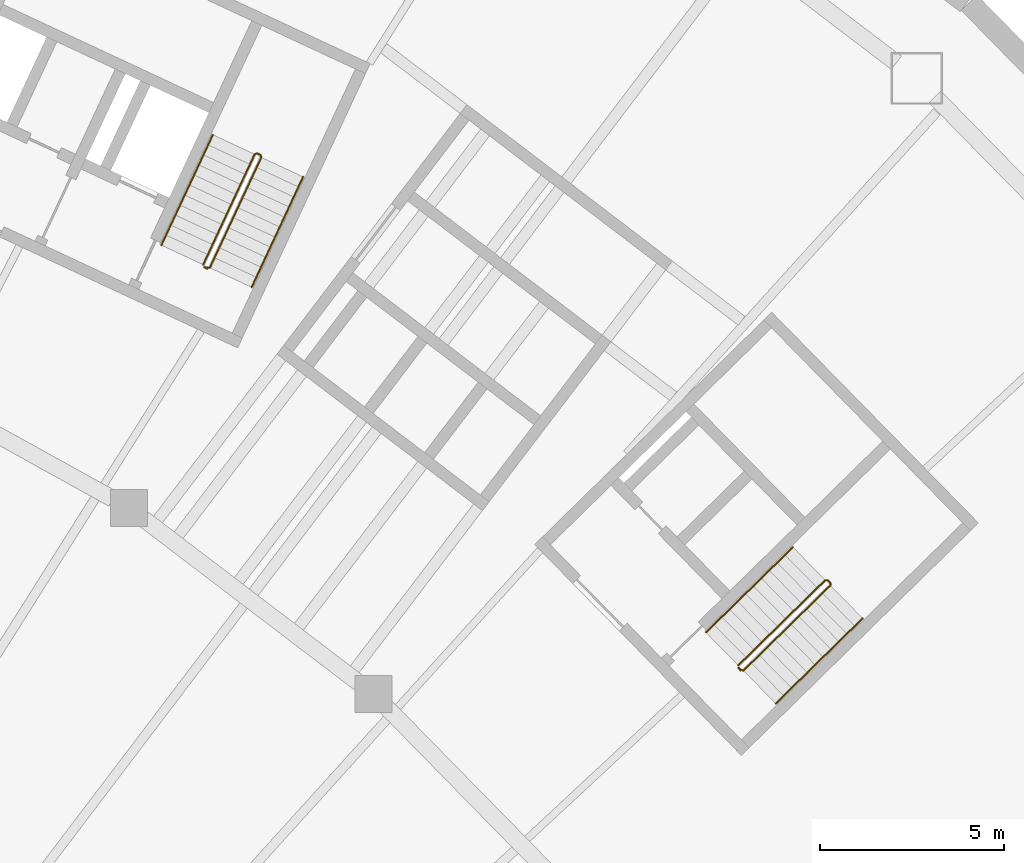
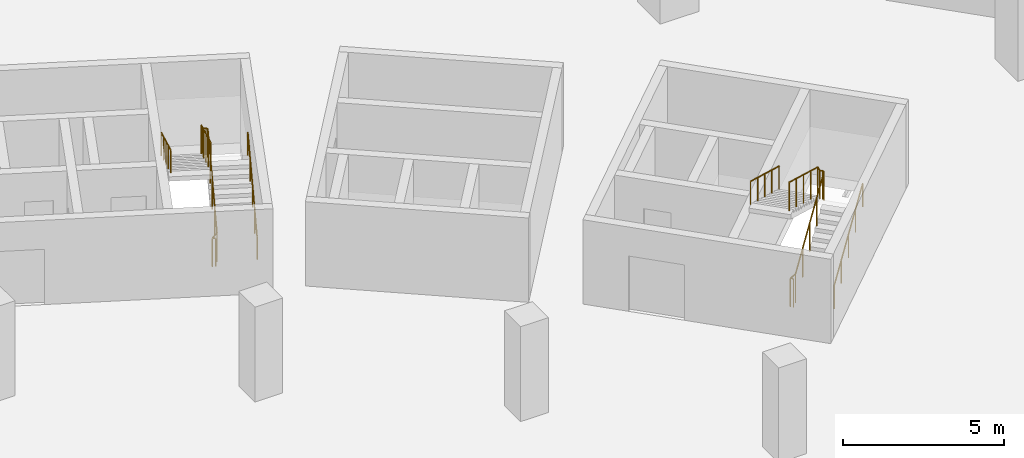
# One storey, part 10 of 10: 6 railings.
"""IFC4 building model written with IfcOpenShell, lengths in metres."""

from ifc_helpers import new_model, si_unit, direction, frame, origin, origin_2d, place, context, subcontext, project, spatial, circle, extrude, material, type_object, element, save


model = new_model("IFC4")

# Units and contexts
model_context = context("Model", 3, precision=1e-05, world=origin(), true_north=direction((0.0, 1.0)))
body_context = subcontext(model_context, "Body", "Model", "MODEL_VIEW")
ifc_project = project(units=[si_unit("LENGTHUNIT", "METRE"), si_unit("AREAUNIT", "SQUARE_METRE"), si_unit("VOLUMEUNIT", "CUBIC_METRE"), si_unit("PLANEANGLEUNIT", "RADIAN"), si_unit("MASSUNIT", "GRAM", prefix="KILO")], contexts=[model_context])

# Site, building, storey
site_placement = place(None, origin())
site = spatial("IfcSite", under=ifc_project, at=site_placement, CompositionType="ELEMENT")
building_placement = place(site_placement, origin())
building = spatial("IfcBuilding", under=site, at=building_placement, Name="Tuul Gate Civic Tower", CompositionType="ELEMENT")
storey_placement = place(building_placement, frame((0.0, 0.0, -8.10009765625)))
storey = spatial("IfcBuildingStorey", under=building, at=storey_placement, Name="Basement 2", CompositionType="ELEMENT", Elevation=-8.10009765625)

# Railings
ifc_material_1 = material(Name="Painted steel", Category="steel")
railing_type_1 = type_object("IfcRailingType", Name="Stair guard", PredefinedType="GUARDRAIL", material=ifc_material_1)
railing_1_placement = place(storey_placement, frame((48.10546875, -16.134765625, 0.0)))
element("IfcRailing", 1, at=railing_1_placement, inside=storey, type_object=railing_type_1, Name="Basement 2 ST-3 stair guard 1", PredefinedType="GUARDRAIL", context=body_context, shape_type="SweptSolid", body=[
    extrude(circle(Radius=0.02392578125, at=origin_2d()), frame((0.0, 0.0, 1.076171875), z_axis=(-0.698506948293, 0.715603272202, 0.0), x_axis=(-0.715603272202, -0.698506948293, 0.0)), (0.0, 0.0, 1.0), 0.099853515625),
    extrude(circle(Radius=0.02392578125, at=origin_2d()), frame((-0.06982421875, 0.071533203125, 1.076171875), z_axis=(0.644948864628, -0.331432055434, 0.688617277337), x_axis=(0.457068866502, 0.889431307788, 0.0)), (0.0, 0.0, 1.0), 0.218017578125),
    extrude(circle(Radius=0.02392578125, at=origin_2d()), frame((0.07080078125, -0.000732421875, 1.22607421875), z_axis=(0.638752886034, 0.626114141475, 0.447186574518), x_axis=(-0.700006317678, 0.714136650237, 0.0)), (0.0, 0.0, 1.0), 3.689453125),
    extrude(circle(Radius=0.02392578125, at=origin_2d()), frame((2.427490234375, 2.309326171875, 2.8759765625), z_axis=(0.010344274102, 0.999946496565, 0.0), x_axis=(-0.999946496565, 0.010344274102, 0.0)), (0.0, 0.0, 1.0), 0.07080078125),
    extrude(circle(Radius=0.02392578125, at=origin_2d()), frame((2.42822265625, 2.380126953125, 2.8759765625), z_axis=(-0.700974368541, 0.713186465554, 0.0), x_axis=(-0.713186465554, -0.700974368541, 0.0)), (0.0, 0.0, 1.0), 0.099853515625),
    extrude(circle(Radius=0.02392578125, at=origin_2d()), frame((2.358154296875, 2.451416015625, 2.8759765625), z_axis=(-0.426501027327, 0.004412079593, 0.904476316574), x_axis=(-0.010344274102, -0.999946496565, 0.0)), (0.0, 0.0, 1.0), 0.166015625),
    extrude(circle(Radius=0.02392578125, at=origin_2d()), frame((2.287353515625, 2.4521484375, 3.0263671875), z_axis=(-0.638752886034, -0.626114141475, 0.447186574518), x_axis=(0.700006317678, -0.714136650237, 0.0)), (0.0, 0.0, 1.0), 3.689453125),
    extrude(circle(Radius=0.02099609375, at=origin_2d()), origin(), (0.0, 0.0, 1.0), 1.052001953125),
    extrude(circle(Radius=0.02099609375, at=origin_2d()), frame((-0.06982421875, 0.071533203125, 0.0)), (0.0, 0.0, 1.0), 1.052001953125),
    extrude(circle(Radius=0.02099609375, at=origin_2d()), frame((0.07080078125, -0.000732421875, 0.150146484375)), (0.0, 0.0, 1.0), 1.052001953125),
    extrude(circle(Radius=0.02099609375, at=origin_2d()), frame((0.659912109375, 0.57666015625, 0.5625)), (0.0, 0.0, 1.0), 1.052001953125),
    extrude(circle(Radius=0.02099609375, at=origin_2d()), frame((1.2490234375, 1.154296875, 0.97509765625)), (0.0, 0.0, 1.0), 1.052001953125),
    extrude(circle(Radius=0.02099609375, at=origin_2d()), frame((1.83837890625, 1.73193359375, 1.3876953125)), (0.0, 0.0, 1.0), 1.052001953125),
    extrude(circle(Radius=0.02099609375, at=origin_2d()), frame((2.427490234375, 2.309326171875, 1.800048828125)), (0.0, 0.0, 1.0), 1.052001953125),
    extrude(circle(Radius=0.02099609375, at=origin_2d()), frame((2.42822265625, 2.380126953125, 1.800048828125)), (0.0, 0.0, 1.0), 1.052001953125),
    extrude(circle(Radius=0.02099609375, at=origin_2d()), frame((2.358154296875, 2.451416015625, 1.800048828125)), (0.0, 0.0, 1.0), 1.052001953125),
    extrude(circle(Radius=0.02099609375, at=origin_2d()), frame((2.287353515625, 2.4521484375, 1.9501953125)), (0.0, 0.0, 1.0), 1.052001953125),
    extrude(circle(Radius=0.02099609375, at=origin_2d()), frame((1.6982421875, 1.87451171875, 2.36279296875)), (0.0, 0.0, 1.0), 1.052001953125),
    extrude(circle(Radius=0.02099609375, at=origin_2d()), frame((1.10888671875, 1.297119140625, 2.775146484375)), (0.0, 0.0, 1.0), 1.052001953125),
    extrude(circle(Radius=0.02099609375, at=origin_2d()), frame((0.519775390625, 0.7197265625, 3.1875)), (0.0, 0.0, 1.0), 1.052001953125),
    extrude(circle(Radius=0.02099609375, at=origin_2d()), frame((-0.0693359375, 0.14208984375, 3.60009765625)), (0.0, 0.0, 1.0), 1.052001953125),
])
railing_2_placement = place(storey_placement, frame((33.645751953125, -5.238525390625, 0.0)))
element("IfcRailing", 2, at=railing_2_placement, inside=storey, type_object=railing_type_1, Name="Basement 2 ST-4 stair guard 1", PredefinedType="GUARDRAIL", context=body_context, shape_type="SweptSolid", body=[
    extrude(circle(Radius=0.02392578125, at=origin_2d()), frame((0.0, 0.0, 1.076171875), z_axis=(-0.906307919131, 0.422617978463, 0.0), x_axis=(-0.422617978463, -0.906307919131, 0.0)), (0.0, 0.0, 1.0), 0.099853515625),
    extrude(circle(Radius=0.02392578125, at=origin_2d()), frame((-0.090576171875, 0.042236328125, 1.076171875), z_axis=(0.720179819621, -0.082882280952, 0.688818956559), x_axis=(0.114330889033, 0.993442724979, 0.0)), (0.0, 0.0, 1.0), 0.218017578125),
    extrude(circle(Radius=0.02392578125, at=origin_2d()), frame((0.06640625, 0.024169921875, 1.22607421875), z_axis=(0.377988140563, 0.810636330864, 0.44720655706), x_axis=(-0.906315404461, 0.422601925737, 0.0)), (0.0, 0.0, 1.0), 3.689453125),
    extrude(circle(Radius=0.02392578125, at=origin_2d()), frame((1.4609375, 3.014892578125, 2.8759765625), z_axis=(-0.340913456846, 0.94009468403, 0.0), x_axis=(-0.94009468403, -0.340913456846, 0.0)), (0.0, 0.0, 1.0), 0.07080078125),
    extrude(circle(Radius=0.02392578125, at=origin_2d()), frame((1.436767578125, 3.08154296875, 2.8759765625), z_axis=(-0.906307919131, 0.422617978463, 0.0), x_axis=(-0.422617978463, -0.906307919131, 0.0)), (0.0, 0.0, 1.0), 0.099853515625),
    extrude(circle(Radius=0.02392578125, at=origin_2d()), frame((1.34619140625, 3.123779296875, 2.8759765625), z_axis=(-0.401403317148, -0.145563840285, 0.90426021995), x_axis=(0.340913456846, -0.94009468403, 0.0)), (0.0, 0.0, 1.0), 0.166015625),
    extrude(circle(Radius=0.02392578125, at=origin_2d()), frame((1.279541015625, 3.099609375, 3.0263671875), z_axis=(-0.377911144985, -0.810679292105, 0.447193752024), x_axis=(0.906356948754, -0.422512818083, 0.0)), (0.0, 0.0, 1.0), 3.689453125),
    extrude(circle(Radius=0.02099609375, at=origin_2d()), origin(), (0.0, 0.0, 1.0), 1.052001953125),
    extrude(circle(Radius=0.02099609375, at=origin_2d()), frame((-0.090576171875, 0.042236328125, 0.0)), (0.0, 0.0, 1.0), 1.052001953125),
    extrude(circle(Radius=0.02099609375, at=origin_2d()), frame((0.06640625, 0.024169921875, 0.150146484375)), (0.0, 0.0, 1.0), 1.052001953125),
    extrude(circle(Radius=0.02099609375, at=origin_2d()), frame((0.4150390625, 0.77197265625, 0.5625)), (0.0, 0.0, 1.0), 1.052001953125),
    extrude(circle(Radius=0.02099609375, at=origin_2d()), frame((0.763671875, 1.51953125, 0.97509765625)), (0.0, 0.0, 1.0), 1.052001953125),
    extrude(circle(Radius=0.02099609375, at=origin_2d()), frame((1.1123046875, 2.26708984375, 1.3876953125)), (0.0, 0.0, 1.0), 1.052001953125),
    extrude(circle(Radius=0.02099609375, at=origin_2d()), frame((1.4609375, 3.014892578125, 1.800048828125)), (0.0, 0.0, 1.0), 1.052001953125),
    extrude(circle(Radius=0.02099609375, at=origin_2d()), frame((1.436767578125, 3.08154296875, 1.800048828125)), (0.0, 0.0, 1.0), 1.052001953125),
    extrude(circle(Radius=0.02099609375, at=origin_2d()), frame((1.34619140625, 3.123779296875, 1.800048828125)), (0.0, 0.0, 1.0), 1.052001953125),
    extrude(circle(Radius=0.02099609375, at=origin_2d()), frame((1.279541015625, 3.099609375, 1.9501953125)), (0.0, 0.0, 1.0), 1.052001953125),
    extrude(circle(Radius=0.02099609375, at=origin_2d()), frame((0.930908203125, 2.351806640625, 2.36279296875)), (0.0, 0.0, 1.0), 1.052001953125),
    extrude(circle(Radius=0.02099609375, at=origin_2d()), frame((0.58251953125, 1.60400390625, 2.775146484375)), (0.0, 0.0, 1.0), 1.052001953125),
    extrude(circle(Radius=0.02099609375, at=origin_2d()), frame((0.23388671875, 0.8564453125, 3.1875)), (0.0, 0.0, 1.0), 1.052001953125),
    extrude(circle(Radius=0.02099609375, at=origin_2d()), frame((-0.11474609375, 0.108642578125, 3.60009765625)), (0.0, 0.0, 1.0), 1.052001953125),
])
ifc_material_2 = material(Name="Painted steel", Category="steel")
railing_type_2 = type_object("IfcRailingType", Name="Stair handrail", PredefinedType="HANDRAIL", material=ifc_material_2)
railing_3_placement = place(storey_placement, frame((49.05126953125, -17.028076171875, 0.150146484375)))
element("IfcRailing", 3, at=railing_3_placement, inside=storey, type_object=railing_type_2, Name="Basement 2 ST-3 stair handrail 1", PredefinedType="HANDRAIL", context=body_context, shape_type="SweptSolid", body=[
    extrude(circle(Radius=0.02392578125, at=origin_2d()), frame((0.0, 0.0, 0.8759765625), z_axis=(0.638752886034, 0.626114141475, 0.447186574518), x_axis=(-0.700006317678, 0.714136650237, 0.0)), (0.0, 0.0, 1.0), 3.689453125),
    extrude(circle(Radius=0.02099609375, at=origin_2d()), origin(), (0.0, 0.0, 1.0), 0.851806640625),
    extrude(circle(Radius=0.02099609375, at=origin_2d()), frame((0.589111328125, 0.57763671875, 0.41259765625)), (0.0, 0.0, 1.0), 0.851806640625),
    extrude(circle(Radius=0.02099609375, at=origin_2d()), frame((1.17822265625, 1.155029296875, 0.824951171875)), (0.0, 0.0, 1.0), 0.851806640625),
    extrude(circle(Radius=0.02099609375, at=origin_2d()), frame((1.767578125, 1.732421875, 1.2373046875)), (0.0, 0.0, 1.0), 0.851806640625),
    extrude(circle(Radius=0.02099609375, at=origin_2d()), frame((2.356689453125, 2.31005859375, 1.64990234375)), (0.0, 0.0, 1.0), 0.851806640625),
])
railing_4_placement = place(storey_placement, frame((49.517822265625, -12.789794921875, 1.9501953125)))
element("IfcRailing", 4, at=railing_4_placement, inside=storey, type_object=railing_type_2, Name="Basement 2 ST-3 stair handrail 2", PredefinedType="HANDRAIL", context=body_context, shape_type="SweptSolid", body=[
    extrude(circle(Radius=0.02392578125, at=origin_2d()), frame((0.0, 0.0, 0.8759765625), z_axis=(-0.638752886034, -0.626114141475, 0.447186574518), x_axis=(0.700006317678, -0.714136650237, 0.0)), (0.0, 0.0, 1.0), 3.689453125),
    extrude(circle(Radius=0.02099609375, at=origin_2d()), origin(), (0.0, 0.0, 1.0), 0.851806640625),
    extrude(circle(Radius=0.02099609375, at=origin_2d()), frame((-0.589111328125, -0.57763671875, 0.41259765625)), (0.0, 0.0, 1.0), 0.851806640625),
    extrude(circle(Radius=0.02099609375, at=origin_2d()), frame((-1.17822265625, -1.155029296875, 0.824951171875)), (0.0, 0.0, 1.0), 0.851806640625),
    extrude(circle(Radius=0.02099609375, at=origin_2d()), frame((-1.767578125, -1.732421875, 1.2373046875)), (0.0, 0.0, 1.0), 0.851806640625),
    extrude(circle(Radius=0.02099609375, at=origin_2d()), frame((-2.356689453125, -2.31005859375, 1.64990234375)), (0.0, 0.0, 1.0), 0.851806640625),
])
railing_5_placement = place(storey_placement, frame((34.844970703125, -5.74267578125, 0.150146484375)))
element("IfcRailing", 5, at=railing_5_placement, inside=storey, type_object=railing_type_2, Name="Basement 2 ST-4 stair handrail 1", PredefinedType="HANDRAIL", context=body_context, shape_type="SweptSolid", body=[
    extrude(circle(Radius=0.02392578125, at=origin_2d()), frame((0.0, 0.0, 0.8759765625), z_axis=(0.37796786481, 0.81065901817, 0.447182568345), x_axis=(-0.906328616278, 0.422573590415, 0.0)), (0.0, 0.0, 1.0), 3.689453125),
    extrude(circle(Radius=0.02099609375, at=origin_2d()), origin(), (0.0, 0.0, 1.0), 0.851806640625),
    extrude(circle(Radius=0.02099609375, at=origin_2d()), frame((0.3486328125, 0.747802734375, 0.41259765625)), (0.0, 0.0, 1.0), 0.851806640625),
    extrude(circle(Radius=0.02099609375, at=origin_2d()), frame((0.697265625, 1.49560546875, 0.824951171875)), (0.0, 0.0, 1.0), 0.851806640625),
    extrude(circle(Radius=0.02099609375, at=origin_2d()), frame((1.0458984375, 2.2431640625, 1.2373046875)), (0.0, 0.0, 1.0), 0.851806640625),
    extrude(circle(Radius=0.02099609375, at=origin_2d()), frame((1.39453125, 2.990966796875, 1.64990234375)), (0.0, 0.0, 1.0), 0.851806640625),
])
railing_6_placement = place(storey_placement, frame((33.79248046875, -1.61083984375, 1.9501953125)))
element("IfcRailing", 6, at=railing_6_placement, inside=storey, type_object=railing_type_2, Name="Basement 2 ST-4 stair handrail 2", PredefinedType="HANDRAIL", context=body_context, shape_type="SweptSolid", body=[
    extrude(circle(Radius=0.02392578125, at=origin_2d()), frame((0.0, 0.0, 0.8759765625), z_axis=(-0.377988140563, -0.810636330864, 0.44720655706), x_axis=(0.906315404461, -0.422601925737, 0.0)), (0.0, 0.0, 1.0), 3.689453125),
    extrude(circle(Radius=0.02099609375, at=origin_2d()), origin(), (0.0, 0.0, 1.0), 0.851806640625),
    extrude(circle(Radius=0.02099609375, at=origin_2d()), frame((-0.3486328125, -0.74755859375, 0.41259765625)), (0.0, 0.0, 1.0), 0.851806640625),
    extrude(circle(Radius=0.02099609375, at=origin_2d()), frame((-0.697265625, -1.495361328125, 0.824951171875)), (0.0, 0.0, 1.0), 0.851806640625),
    extrude(circle(Radius=0.02099609375, at=origin_2d()), frame((-1.0458984375, -2.2431640625, 1.2373046875)), (0.0, 0.0, 1.0), 0.851806640625),
    extrude(circle(Radius=0.02099609375, at=origin_2d()), frame((-1.39453125, -2.99072265625, 1.64990234375)), (0.0, 0.0, 1.0), 0.851806640625),
])

save(model, "model.ifc")
